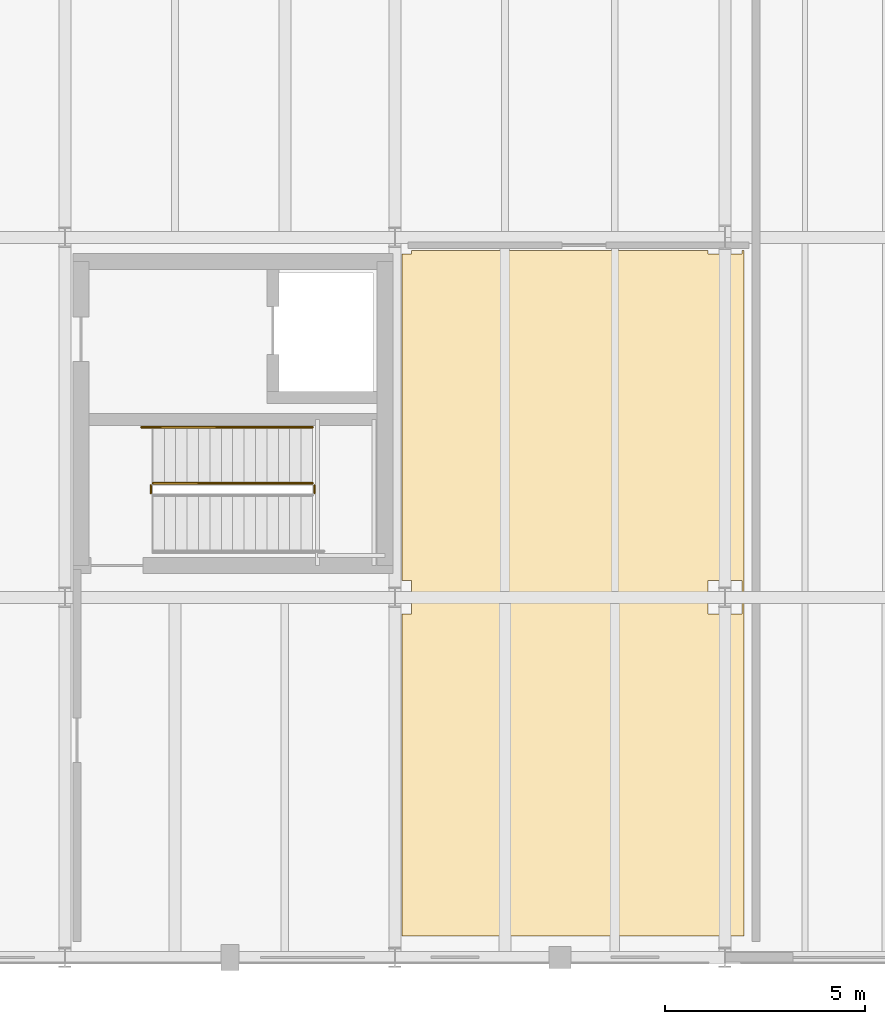
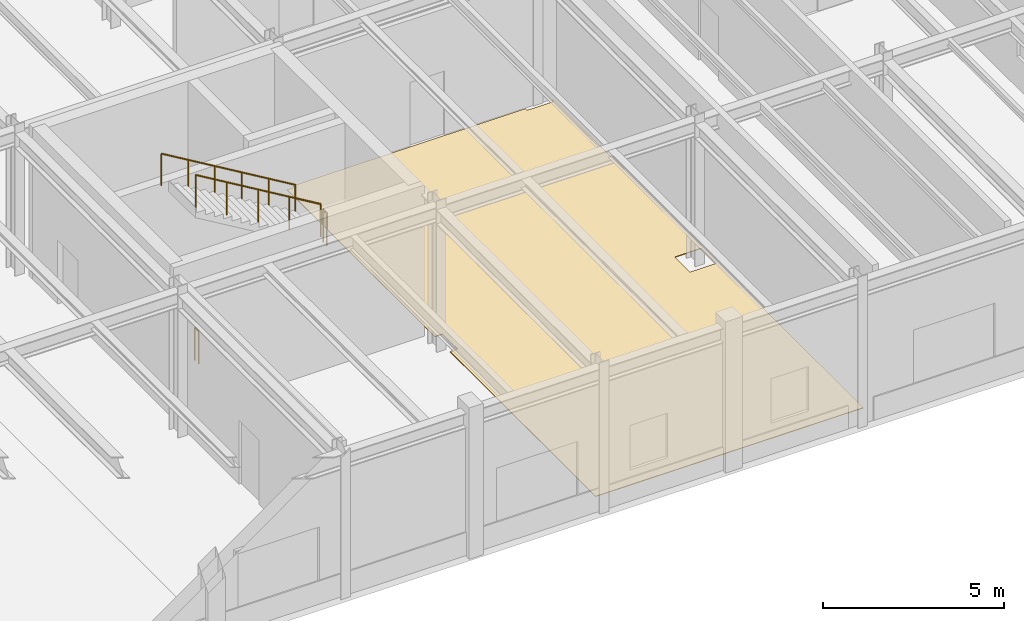
# One storey, part 52 of 64: 4 railings, 1 covering.
"""IFC4 building model written with IfcOpenShell, lengths in metres."""

from ifc_helpers import new_model, si_unit, direction, frame, origin, origin_2d, place, context, subcontext, project, spatial, polyline, circle, outline, extrude, material, layer, layer_set, type_object, element, save


model = new_model("IFC4")

# Units and contexts
model_context = context("Model", 3, precision=1e-05, world=origin(), true_north=direction((0.0, 1.0)))
body_context = subcontext(model_context, "Body", "Model", "MODEL_VIEW")
ifc_project = project(units=[si_unit("LENGTHUNIT", "METRE"), si_unit("AREAUNIT", "SQUARE_METRE"), si_unit("VOLUMEUNIT", "CUBIC_METRE"), si_unit("PLANEANGLEUNIT", "RADIAN"), si_unit("MASSUNIT", "GRAM", prefix="KILO")], contexts=[model_context])

# Site, building, storey
site_placement = place(None, origin())
site = spatial("IfcSite", under=ifc_project, at=site_placement, CompositionType="ELEMENT")
building_placement = place(site_placement, origin())
building = spatial("IfcBuilding", under=site, at=building_placement, Name="Montealbar Specialist Clinic", CompositionType="ELEMENT")
storey_placement = place(building_placement, origin())
storey = spatial("IfcBuildingStorey", under=building, at=storey_placement, Name="L00", CompositionType="ELEMENT", Elevation=0.0)

# Covering
ifc_material_1 = material(Name="Antimicrobial clinical linoleum", Category="wood")
ifc_layer_1 = layer(ifc_material_1, 0.02001953125, Name="Antimicrobial clinical linoleum", Category="wood")
ifc_layer_set_1 = layer_set([ifc_layer_1], Name="Antimicrobial clinical linoleum")
covering_type = type_object("IfcCoveringType", Name="COV-FLR-LINOLEUM", PredefinedType="FLOORING", material=ifc_layer_set_1)
covering_placement = place(storey_placement, origin())
element("IfcCovering", 1, at=covering_placement, inside=storey, type_object=covering_type, Name="Clinical Flooring Neurology Diagnostic Examination Room", PredefinedType="FLOORING", context=body_context, shape_type="SweptSolid", body=[
    extrude(outline(polyline([(90.929931640625, 8.580078125), (91.169921875, 8.580078125), (91.169921875, 9.419921875), (90.929931640625, 9.419921875), (90.929931640625, 17.580078125), (91.169921875, 17.580078125), (91.169921875, 17.669921875), (98.580078125, 17.669921875), (98.580078125, 17.580078125), (99.419921875, 17.580078125), (99.419921875, 17.669921875), (99.469970703125, 17.669921875), (99.469970703125, 0.530029296875), (90.929931640625, 0.530029296875), (90.929931640625, 8.580078125)]), holes=[polyline([(99.419921875, 9.419921875), (98.580078125, 9.419921875), (98.580078125, 8.580078125), (99.419921875, 8.580078125), (99.419921875, 9.419921875)])]), origin(), (0.0, 0.0, 1.0), 0.02001953125),
])

# Railings
ifc_material_2 = material(Name="Steel S355", Category="steel")
ifc_layer_2 = layer(ifc_material_2, 0.050048828125, Name="Steel S355", Category="steel")
ifc_layer_set_2 = layer_set([ifc_layer_2], Name="Steel S355")
railing_type_1 = type_object("IfcRailingType", Name="RAIL-STAIR-BAL-1100", PredefinedType="BALUSTRADE", material=ifc_layer_set_2)
railing_1_placement = place(storey_placement, frame((88.739990234375, 11.60009765625, 2.550048828125)))
element("IfcRailing", 2, at=railing_1_placement, inside=storey, type_object=railing_type_1, Name="L00 ST-04 stair guard 2", PredefinedType="BALUSTRADE", context=body_context, shape_type="SweptSolid", body=[
    extrude(circle(Radius=0.02392578125, at=origin_2d()), frame((0.0, 0.0, 1.076171875), z_axis=(0.0, 1.0, 0.0), x_axis=(-1.0, 0.0, 0.0)), (0.0, 0.0, 1.0), 0.199951171875),
    extrude(circle(Radius=0.02099609375, at=origin_2d()), frame((0.0, 0.0, -0.02490234375)), (0.0, 0.0, 1.0), 1.076904296875),
    extrude(circle(Radius=0.02099609375, at=origin_2d()), frame((0.0, 0.199951171875, -0.02490234375)), (0.0, 0.0, 1.0), 1.076904296875),
])
railing_2_placement = place(storey_placement, frame((88.68994140625, 11.85009765625, 2.719970703125)))
element("IfcRailing", 3, at=railing_2_placement, inside=storey, type_object=railing_type_1, Name="L00 ST-04 stair guard 3", PredefinedType="BALUSTRADE", context=body_context, shape_type="SweptSolid", body=[
    extrude(circle(Radius=0.02392578125, at=origin_2d()), frame((0.0, 0.0, 1.076171875), z_axis=(-0.858806931142, 0.0, 0.512299380267), x_axis=(0.0, -1.0, 0.0)), (0.0, 0.0, 1.0), 4.64599609375),
    extrude(circle(Radius=0.02099609375, at=origin_2d()), frame((0.0, 0.0, -0.02490234375)), (0.0, 0.0, 1.0), 1.076904296875),
    extrude(circle(Radius=0.02099609375, at=origin_2d()), frame((-0.99755859375, 0.0, 0.570068359375)), (0.0, 0.0, 1.0), 1.076904296875),
    extrude(circle(Radius=0.02099609375, at=origin_2d()), frame((-1.9951171875, 0.0, 1.1650390625)), (0.0, 0.0, 1.0), 1.076904296875),
    extrude(circle(Radius=0.02099609375, at=origin_2d()), frame((-2.992431640625, 0.0, 1.760009765625)), (0.0, 0.0, 1.0), 1.076904296875),
    extrude(circle(Radius=0.02099609375, at=origin_2d()), frame((-3.989990234375, 0.0, 2.355224609375)), (0.0, 0.0, 1.0), 1.076904296875),
])
railing_3_placement = place(storey_placement, frame((84.64990234375, 11.60009765625, 0.0)))
element("IfcRailing", 4, at=railing_3_placement, inside=storey, type_object=railing_type_1, Name="L00 ST-04 stair guard 4", PredefinedType="BALUSTRADE", context=body_context, shape_type="SweptSolid", body=[
    extrude(circle(Radius=0.02392578125, at=origin_2d()), frame((0.0, 0.0, 1.076171875), z_axis=(0.0, 1.0, 0.0), x_axis=(-1.0, 0.0, 0.0)), (0.0, 0.0, 1.0), 0.199951171875),
    extrude(circle(Radius=0.02099609375, at=origin_2d()), frame((0.0, 0.0, -0.02490234375)), (0.0, 0.0, 1.0), 1.076904296875),
    extrude(circle(Radius=0.02099609375, at=origin_2d()), frame((0.0, 0.199951171875, -0.02490234375)), (0.0, 0.0, 1.0), 1.076904296875),
])
ifc_layer_3 = layer(ifc_material_2, 0.044921875, Name="Steel S355", Category="steel")
ifc_layer_set_3 = layer_set([ifc_layer_3], Name="Steel S355")
railing_type_2 = type_object("IfcRailingType", Name="RAIL-STAIR-HR-900", PredefinedType="HANDRAIL", material=ifc_layer_set_3)
railing_4_placement = place(storey_placement, frame((88.68994140625, 13.25, 2.719970703125)))
element("IfcRailing", 5, at=railing_4_placement, inside=storey, type_object=railing_type_2, Name="L00 ST-04 stair handrail 2", PredefinedType="HANDRAIL", context=body_context, shape_type="SweptSolid", body=[
    extrude(circle(Radius=0.02392578125, at=origin_2d()), frame((0.0, 0.0, 0.8759765625), z_axis=(-0.858810040619, 0.0, 0.512294167576), x_axis=(0.0, -1.0, 0.0)), (0.0, 0.0, 1.0), 4.977783203125),
    extrude(circle(Radius=0.02099609375, at=origin_2d()), frame((0.0, 0.0, -0.02490234375)), (0.0, 0.0, 1.0), 0.876708984375),
    extrude(circle(Radius=0.02099609375, at=origin_2d()), frame((-0.85498046875, 0.0, 0.485107421875)), (0.0, 0.0, 1.0), 0.876708984375),
    extrude(circle(Radius=0.02099609375, at=origin_2d()), frame((-1.7099609375, 0.0, 0.9951171875)), (0.0, 0.0, 1.0), 0.876708984375),
    extrude(circle(Radius=0.02099609375, at=origin_2d()), frame((-2.56494140625, 0.0, 1.505126953125)), (0.0, 0.0, 1.0), 0.876708984375),
    extrude(circle(Radius=0.02099609375, at=origin_2d()), frame((-3.419921875, 0.0, 2.01513671875)), (0.0, 0.0, 1.0), 0.876708984375),
    extrude(circle(Radius=0.02099609375, at=origin_2d()), frame((-4.27490234375, 0.0, 2.355224609375)), (0.0, 0.0, 1.0), 1.046630859375),
])

save(model, "model.ifc")
